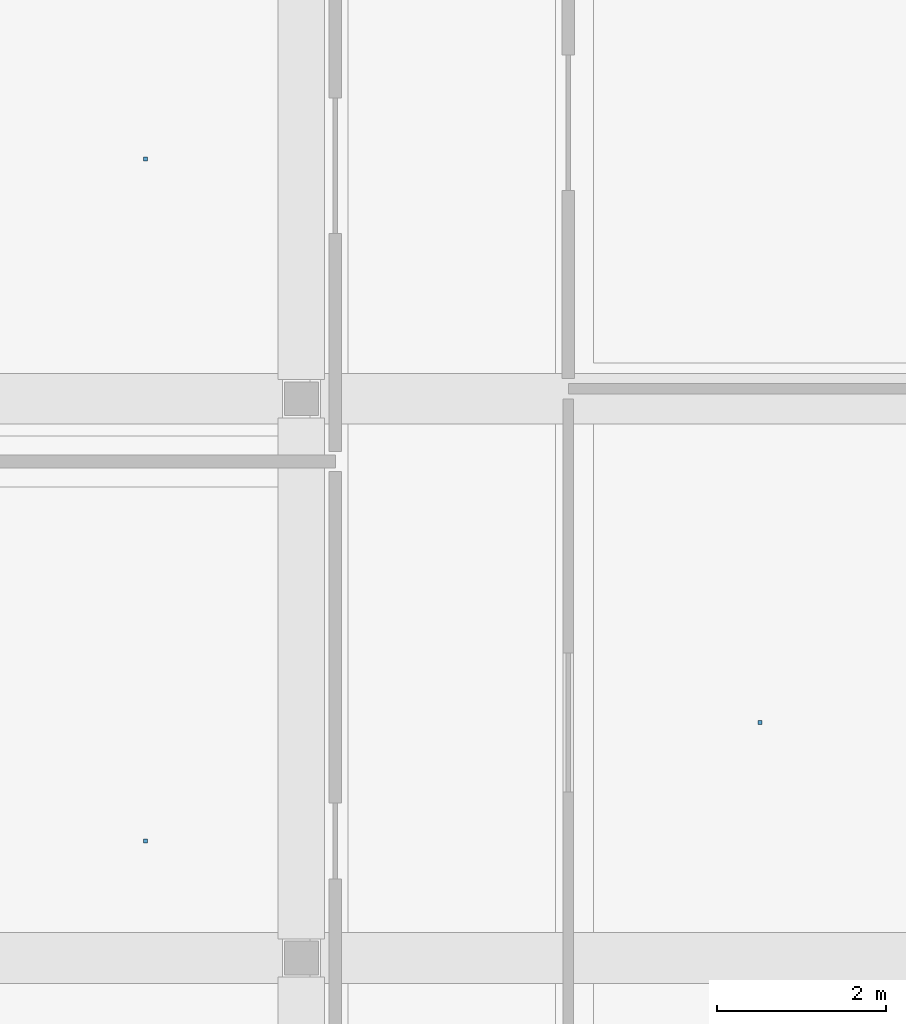
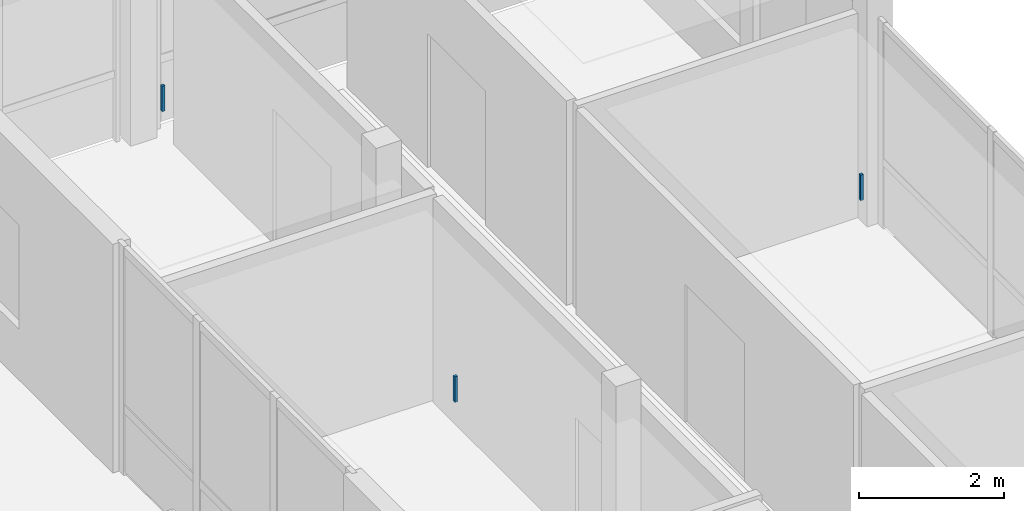
# One storey, part 20 of 24: 3 discrete accessories.
"""IFC4 building model written with IfcOpenShell, lengths in metres."""

from ifc_helpers import new_model, si_unit, derived_unit, direction, frame, origin, origin_2d, place, context, subcontext, project, spatial, rectangle, extrude, material, type_object, element, save


model = new_model("IFC4")

# Units and contexts
model_context = context("Model", 3, precision=1e-05, world=origin(), true_north=direction((0.0, 1.0)))
body_context = subcontext(model_context, "Body", "Model", "MODEL_VIEW")
ifc_project = project(units=[si_unit("LENGTHUNIT", "METRE"), si_unit("AREAUNIT", "SQUARE_METRE"), si_unit("VOLUMEUNIT", "CUBIC_METRE"), si_unit("PLANEANGLEUNIT", "RADIAN"), si_unit("MASSUNIT", "GRAM", prefix="KILO"), derived_unit("THERMALTRANSMITTANCEUNIT", [(si_unit("POWERUNIT", "WATT"), 1), (si_unit("LENGTHUNIT", "METRE"), -2), (si_unit("THERMODYNAMICTEMPERATUREUNIT", "KELVIN"), -1)])], contexts=[model_context])

# Site, building, storey
site_placement = place(None, origin())
site = spatial("IfcSite", under=ifc_project, at=site_placement, CompositionType="ELEMENT")
building_placement = place(site_placement, origin())
building = spatial("IfcBuilding", under=site, at=building_placement, Name="Braskholm Square Health Centre", CompositionType="ELEMENT")
storey_placement = place(building_placement, frame((0.0, 0.0, 21.60009765625)))
storey = spatial("IfcBuildingStorey", under=building, at=storey_placement, Name="L06", CompositionType="ELEMENT", Elevation=21.60009765625)

# Discrete accessories
ifc_material = material(Name="Steel ASTM A500 Grade C", Category="steel")
discrete_accessory_type = type_object("IfcDiscreteAccessoryType", Name="CeilingSuspensionBracket", PredefinedType="BRACKET", material=ifc_material)
for number, where, z_axis, x_axis, name in (
    (1, (9.56005859375, 101.780029296875, 3.421875), (0.0, 0.0, 1.0), (1.0, 0.0, 0.0), "Ceiling hanger bracket 0102"),
    (2, (9.56005859375, 109.830078125, 3.421875), (0.0, 0.0, 1.0), (1.0, 0.0, 0.0), "Ceiling hanger bracket 0103"),
    (3, (16.81494140625, 103.179931640625, 3.421875), (0.0, 0.0, 1.0), (1.0, 0.0, 0.0), "Ceiling hanger bracket 0112"),
):
    element("IfcDiscreteAccessory", number, at=place(storey_placement, frame(where, z_axis=z_axis, x_axis=x_axis)), inside=storey, type_object=discrete_accessory_type, Name=name, PredefinedType="BRACKET", context=body_context, shape_type="SweptSolid", body=[
        extrude(rectangle(XDim=0.044921875, YDim=0.044921875, at=origin_2d()), origin(), (0.0, 0.0, 1.0), 0.429931640625),
    ])

save(model, "model.ifc")
